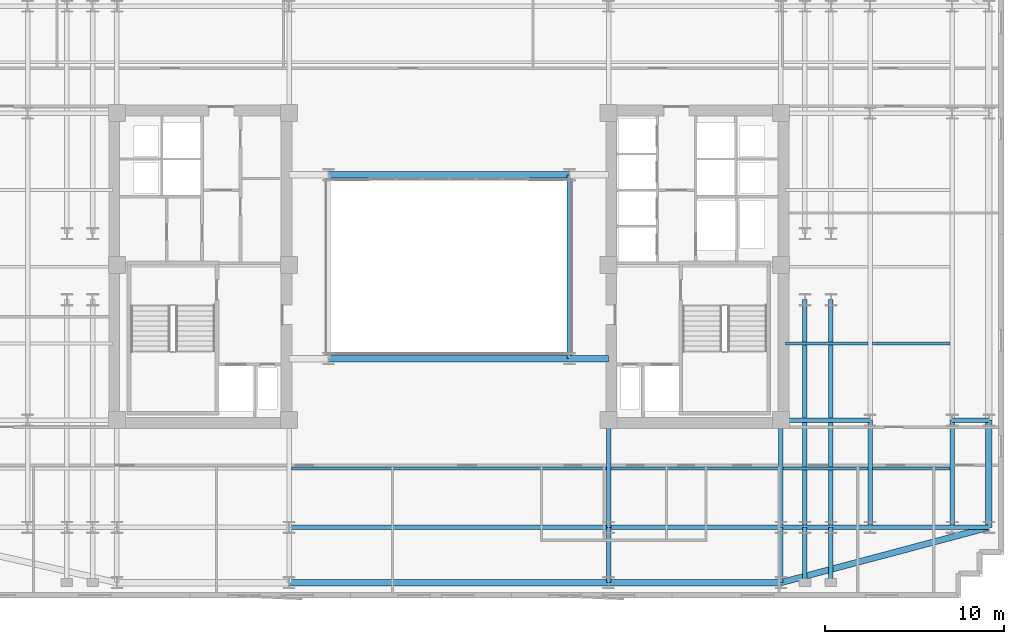
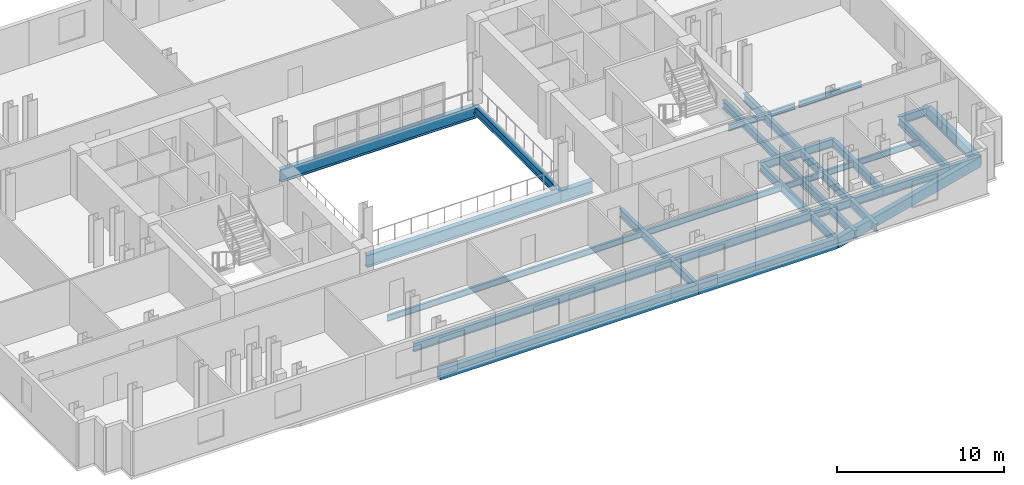
# One storey, part 3 of 12: 31 beams.
"""IFC4 building model written with IfcOpenShell, lengths in metres."""

from ifc_helpers import new_model, si_unit, direction, frame, origin, origin_2d, place, context, subcontext, project, spatial, rectangle, i_section, extrude, material, material_profile, profile_set, type_object, element, save


model = new_model("IFC4")

# Units and contexts
model_context = context("Model", 3, precision=1e-05, world=origin(), true_north=direction((0.0, 1.0)))
body_context = subcontext(model_context, "Body", "Model", "MODEL_VIEW")
ifc_project = project(units=[si_unit("LENGTHUNIT", "METRE"), si_unit("AREAUNIT", "SQUARE_METRE"), si_unit("VOLUMEUNIT", "CUBIC_METRE"), si_unit("PLANEANGLEUNIT", "RADIAN"), si_unit("MASSUNIT", "GRAM", prefix="KILO")], contexts=[model_context])

# Site, building, storey
site_placement = place(None, origin())
site = spatial("IfcSite", under=ifc_project, at=site_placement, CompositionType="ELEMENT")
building_placement = place(site_placement, origin())
building = spatial("IfcBuilding", under=site, at=building_placement, Name="Velakula Bourse", CompositionType="ELEMENT")
storey_placement = place(building_placement, frame((0.0, 0.0, 134.64990234375)))
storey = spatial("IfcBuildingStorey", under=building, at=storey_placement, Name="L36", CompositionType="ELEMENT", Elevation=134.64990234375)

# Beams
ifc_material_1 = material(Name="Steel IS 2062 Grade 350 (E350)", Category="steel")
ifc_material_profile_1 = material_profile(ifc_material_1, i_section(OverallWidth=0.25, OverallDepth=0.60009765625, WebThickness=0.01123046875, FlangeThickness=0.021240234375, at=origin_2d()), Name="Steel IS 2062 Grade 350 (E350)")
ifc_profile_set_1 = profile_set([ifc_material_profile_1], Name="Steel IS 2062 Grade 350 (E350)")
beam_type_1 = type_object("IfcBeamType", Name="BM-GRD-600M", PredefinedType="BEAM", material=ifc_profile_set_1)
beam_1_placement = place(storey_placement, frame((6.75, -5.14990234375, -0.47998046875), z_axis=(0.0, 1.0, 0.0), x_axis=(-1.0, 0.0, 0.0)))
element("IfcBeam", 1, at=beam_1_placement, inside=storey, type_object=beam_type_1, Name="L36 Primary Backbone Girder SPN-E", PredefinedType="BEAM", context=body_context, shape_type="SweptSolid", body=[
    extrude(i_section(OverallWidth=0.25, OverallDepth=0.60009765625, WebThickness=0.01123046875, FlangeThickness=0.021240234375, at=origin_2d()), origin(), (0.0, 0.0, 1.0), 10.2998046875),
])
for number, where, z_axis, x_axis, name in (
    (2, (8.949951171875, -14.60009765625, -0.47998046875), (0.0, 1.0, 0.0), (-1.0, 0.0, 0.0), "L36 Fulcrum Grid Girder FLC-ECS"),
    (3, (18.60009765625, -14.60009765625, -0.47998046875), (0.0, 1.0, 0.0), (-1.0, 0.0, 0.0), "L36 Fulcrum Grid Girder FLC-ES"),
):
    element("IfcBeam", number, at=place(storey_placement, frame(where, z_axis=z_axis, x_axis=x_axis)), inside=storey, type_object=beam_type_1, Name=name, PredefinedType="BEAM", context=body_context, shape_type="SweptSolid", body=[
        extrude(i_section(OverallWidth=0.25, OverallDepth=0.60009765625, WebThickness=0.01123046875, FlangeThickness=0.021240234375, at=origin_2d()), origin(), (0.0, 0.0, 1.0), 6.0),
    ])
beam_2_placement = place(storey_placement, frame((-8.949951171875, -14.60009765625, -0.47998046875), z_axis=(1.0, 0.0, 0.0), x_axis=(0.0, 1.0, 0.0)))
element("IfcBeam", 4, at=beam_2_placement, inside=storey, type_object=beam_type_1, Name="L36 Fulcrum Grid Girder FLC-S2", PredefinedType="BEAM", context=body_context, shape_type="SweptSolid", body=[
    extrude(i_section(OverallWidth=0.25, OverallDepth=0.60009765625, WebThickness=0.01123046875, FlangeThickness=0.021240234375, at=origin_2d()), origin(), (0.0, 0.0, 1.0), 17.89990234375),
])
beam_3_placement = place(storey_placement, frame((8.949951171875, -14.60009765625, -0.47998046875), z_axis=(1.0, 0.0, 0.0), x_axis=(0.0, 1.0, 0.0)))
element("IfcBeam", 5, at=beam_3_placement, inside=storey, type_object=beam_type_1, Name="L36 Fulcrum Grid Girder FLC-S3", PredefinedType="BEAM", context=body_context, shape_type="SweptSolid", body=[
    extrude(i_section(OverallWidth=0.25, OverallDepth=0.60009765625, WebThickness=0.01123046875, FlangeThickness=0.021240234375, at=origin_2d()), origin(), (0.0, 0.0, 1.0), 9.650146484375),
])
for number, where, z_axis, x_axis, name in (
    (6, (19.949951171875, -14.60009765625, -0.47998046875), (0.0, 1.0, 0.0), (-1.0, 0.0, 0.0), "L36 Fulcrum Grid Girder FLC-PSE1"),
    (7, (21.39990234375, -14.60009765625, -0.47998046875), (0.0, 1.0, 0.0), (-1.0, 0.0, 0.0), "L36 Fulcrum Grid Girder FLC-PSE2"),
):
    element("IfcBeam", number, at=place(storey_placement, frame(where, z_axis=z_axis, x_axis=x_axis)), inside=storey, type_object=beam_type_1, Name=name, PredefinedType="BEAM", context=body_context, shape_type="SweptSolid", body=[
        extrude(i_section(OverallWidth=0.25, OverallDepth=0.60009765625, WebThickness=0.01123046875, FlangeThickness=0.021240234375, at=origin_2d()), origin(), (0.0, 0.0, 1.0), 12.75),
    ])
for number, where, z_axis, x_axis, name in (
    (8, (18.60009765625, -14.60009765625, -0.47998046875), (1.0, 0.0, 0.0), (0.0, 1.0, 0.0), "L36 Fulcrum Grid Girder MWG-ES1"),
    (9, (18.60009765625, -8.60009765625, -0.47998046875), (1.0, 0.0, 0.0), (0.0, 1.0, 0.0), "L36 Fulcrum Grid Girder MWG-ES2"),
):
    element("IfcBeam", number, at=place(storey_placement, frame(where, z_axis=z_axis, x_axis=x_axis)), inside=storey, type_object=beam_type_1, Name=name, PredefinedType="BEAM", context=body_context, shape_type="SweptSolid", body=[
        extrude(i_section(OverallWidth=0.25, OverallDepth=0.60009765625, WebThickness=0.01123046875, FlangeThickness=0.021240234375, at=origin_2d()), origin(), (0.0, 0.0, 1.0), 5.0),
    ])
beam_4_placement = place(storey_placement, frame((23.60009765625, -14.60009765625, -0.47998046875), z_axis=(0.0, 1.0, 0.0), x_axis=(-1.0, 0.0, 0.0)))
element("IfcBeam", 10, at=beam_4_placement, inside=storey, type_object=beam_type_1, Name="L36 Fulcrum Grid Girder MWG-ENS1", PredefinedType="BEAM", context=body_context, shape_type="SweptSolid", body=[
    extrude(i_section(OverallWidth=0.25, OverallDepth=0.60009765625, WebThickness=0.01123046875, FlangeThickness=0.021240234375, at=origin_2d()), origin(), (0.0, 0.0, 1.0), 6.0),
])
beam_5_placement = place(storey_placement, frame((23.60009765625, -14.60009765625, -0.47998046875), z_axis=(1.0, 0.0, 0.0), x_axis=(0.0, 1.0, 0.0)))
element("IfcBeam", 11, at=beam_5_placement, inside=storey, type_object=beam_type_1, Name="L36 Fulcrum Grid Girder WNG-ES1", PredefinedType="BEAM", context=body_context, shape_type="SweptSolid", body=[
    extrude(i_section(OverallWidth=0.25, OverallDepth=0.60009765625, WebThickness=0.01123046875, FlangeThickness=0.021240234375, at=origin_2d()), origin(), (0.0, 0.0, 1.0), 4.599853515625),
])
beam_6_placement = place(storey_placement, frame((28.199951171875, -14.60009765625, -0.47998046875), z_axis=(0.0, 1.0, 0.0), x_axis=(-1.0, 0.0, 0.0)))
element("IfcBeam", 12, at=beam_6_placement, inside=storey, type_object=beam_type_1, Name="L36 Fulcrum Grid Girder WNG-ENS1", PredefinedType="BEAM", context=body_context, shape_type="SweptSolid", body=[
    extrude(i_section(OverallWidth=0.25, OverallDepth=0.60009765625, WebThickness=0.01123046875, FlangeThickness=0.021240234375, at=origin_2d()), origin(), (0.0, 0.0, 1.0), 6.0),
])
for number, where, z_axis, x_axis, name in (
    (13, (8.949951171875, -14.60009765625, -0.47998046875), (0.0, -1.0, 0.0), (1.0, 0.0, 0.0), "L36 Perimeter Tie Girder S3"),
    (14, (18.60009765625, -14.60009765625, -0.47998046875), (0.0, -1.0, 0.0), (1.0, 0.0, 0.0), "L36 Perimeter Tie Girder S4"),
):
    element("IfcBeam", number, at=place(storey_placement, frame(where, z_axis=z_axis, x_axis=x_axis)), inside=storey, type_object=beam_type_1, Name=name, PredefinedType="BEAM", context=body_context, shape_type="SweptSolid", body=[
        extrude(i_section(OverallWidth=0.25, OverallDepth=0.60009765625, WebThickness=0.01123046875, FlangeThickness=0.021240234375, at=origin_2d()), origin(), (0.0, 0.0, 1.0), 3.099853515625),
    ])
for number, where, z_axis, x_axis, name in (
    (15, (28.199951171875, -14.60009765625, -0.47998046875), (1.0, 0.0, 0.0), (0.0, 1.0, 0.0), "L36 Perimeter Tie Girder E1"),
    (16, (28.199951171875, -8.60009765625, -0.47998046875), (1.0, 0.0, 0.0), (0.0, 1.0, 0.0), "L36 Perimeter Tie Girder E2"),
):
    element("IfcBeam", number, at=place(storey_placement, frame(where, z_axis=z_axis, x_axis=x_axis)), inside=storey, type_object=beam_type_1, Name=name, PredefinedType="BEAM", context=body_context, shape_type="SweptSolid", body=[
        extrude(i_section(OverallWidth=0.25, OverallDepth=0.60009765625, WebThickness=0.01123046875, FlangeThickness=0.021240234375, at=origin_2d()), origin(), (0.0, 0.0, 1.0), 2.050048828125),
    ])
for number, where, z_axis, x_axis, name in (
    (17, (19.949951171875, -14.60009765625, -0.47998046875), (0.0, -1.0, 0.0), (1.0, 0.0, 0.0), "L36 Perimeter Tie Girder P03"),
    (18, (21.39990234375, -14.60009765625, -0.47998046875), (0.0, -1.0, 0.0), (1.0, 0.0, 0.0), "L36 Perimeter Tie Girder P04"),
):
    element("IfcBeam", number, at=place(storey_placement, frame(where, z_axis=z_axis, x_axis=x_axis)), inside=storey, type_object=beam_type_1, Name=name, PredefinedType="BEAM", context=body_context, shape_type="SweptSolid", body=[
        extrude(i_section(OverallWidth=0.25, OverallDepth=0.60009765625, WebThickness=0.01123046875, FlangeThickness=0.021240234375, at=origin_2d()), origin(), (0.0, 0.0, 1.0), 3.099853515625),
    ])
ifc_material_profile_2 = material_profile(ifc_material_1, i_section(OverallWidth=0.35009765625, OverallDepth=0.89990234375, WebThickness=0.02001953125, FlangeThickness=0.031982421875, at=origin_2d()), Name="Steel IS 2062 Grade 350 (E350)")
ifc_profile_set_2 = profile_set([ifc_material_profile_2], Name="Steel IS 2062 Grade 350 (E350)")
beam_type_2 = type_object("IfcBeamType", Name="BM-LNK-900", PredefinedType="BEAM", material=ifc_profile_set_2)
beam_7_placement = place(storey_placement, frame((-6.75, -5.14990234375, -0.6298828125), z_axis=(1.0, 0.0, 0.0), x_axis=(0.0, 1.0, 0.0)))
element("IfcBeam", 19, at=beam_7_placement, inside=storey, type_object=beam_type_2, Name="L36 Primary Backbone Girder LNK-S2", PredefinedType="BEAM", context=body_context, shape_type="SweptSolid", body=[
    extrude(i_section(OverallWidth=0.35009765625, OverallDepth=0.89990234375, WebThickness=0.02001953125, FlangeThickness=0.031982421875, at=origin_2d()), origin(), (0.0, 0.0, 1.0), 13.5),
])
beam_8_placement = place(storey_placement, frame((6.75, -5.14990234375, -0.6298828125), z_axis=(1.0, 0.0, 0.0), x_axis=(0.0, 1.0, 0.0)))
element("IfcBeam", 20, at=beam_8_placement, inside=storey, type_object=beam_type_2, Name="L36 Primary Backbone Girder LNK-S3", PredefinedType="BEAM", context=body_context, shape_type="SweptSolid", body=[
    extrude(i_section(OverallWidth=0.35009765625, OverallDepth=0.89990234375, WebThickness=0.02001953125, FlangeThickness=0.031982421875, at=origin_2d()), origin(), (0.0, 0.0, 1.0), 2.199951171875),
])
beam_9_placement = place(storey_placement, frame((-6.75, 5.14990234375, -0.6298828125), z_axis=(1.0, 0.0, 0.0), x_axis=(0.0, 1.0, 0.0)))
element("IfcBeam", 21, at=beam_9_placement, inside=storey, type_object=beam_type_2, Name="L36 Primary Backbone Girder LNK-N2", PredefinedType="BEAM", context=body_context, shape_type="SweptSolid", body=[
    extrude(i_section(OverallWidth=0.35009765625, OverallDepth=0.89990234375, WebThickness=0.02001953125, FlangeThickness=0.031982421875, at=origin_2d()), origin(), (0.0, 0.0, 1.0), 13.5),
])
ifc_material_profile_3 = material_profile(ifc_material_1, i_section(OverallWidth=0.14990234375, OverallDepth=0.449951171875, WebThickness=0.009521484375, FlangeThickness=0.017333984375, at=origin_2d()), Name="Steel IS 2062 Grade 350 (E350)")
ifc_profile_set_3 = profile_set([ifc_material_profile_3], Name="Steel IS 2062 Grade 350 (E350)")
beam_type_3 = type_object("IfcBeamType", Name="JST-TWR-450", PredefinedType="JOIST", material=ifc_profile_set_3)
beam_10_placement = place(storey_placement, frame((-8.824951171875, -11.300048828125, -0.40478515625), z_axis=(1.0, 0.0, 0.0), x_axis=(0.0, 1.0, 0.0)))
element("IfcBeam", 22, at=beam_10_placement, inside=storey, type_object=beam_type_3, Name="L36 Trading Floor Composite Joist 05", PredefinedType="JOIST", context=body_context, shape_type="SweptSolid", body=[
    extrude(i_section(OverallWidth=0.14990234375, OverallDepth=0.449951171875, WebThickness=0.009521484375, FlangeThickness=0.017333984375, at=origin_2d()), origin(), (0.0, 0.0, 1.0), 17.64990234375),
])
beam_11_placement = place(storey_placement, frame((9.074951171875, -11.300048828125, -0.40478515625), z_axis=(1.0, 0.0, 0.0), x_axis=(0.0, 1.0, 0.0)))
element("IfcBeam", 23, at=beam_11_placement, inside=storey, type_object=beam_type_3, Name="L36 Trading Floor Composite Joist 06", PredefinedType="JOIST", context=body_context, shape_type="SweptSolid", body=[
    extrude(i_section(OverallWidth=0.14990234375, OverallDepth=0.449951171875, WebThickness=0.009521484375, FlangeThickness=0.017333984375, at=origin_2d()), origin(), (0.0, 0.0, 1.0), 9.400146484375),
])
beam_12_placement = place(storey_placement, frame((18.72509765625, -11.300048828125, -0.40478515625), z_axis=(1.0, 0.0, 0.0), x_axis=(0.0, 1.0, 0.0)))
element("IfcBeam", 24, at=beam_12_placement, inside=storey, type_object=beam_type_3, Name="L36 Trading Floor Composite Joist 07", PredefinedType="JOIST", context=body_context, shape_type="SweptSolid", body=[
    extrude(i_section(OverallWidth=0.14990234375, OverallDepth=0.449951171875, WebThickness=0.009521484375, FlangeThickness=0.017333984375, at=origin_2d()), origin(), (0.0, 0.0, 1.0), 4.75),
])
beam_13_placement = place(storey_placement, frame((23.72509765625, -11.300048828125, -0.40478515625), z_axis=(1.0, 0.0, 0.0), x_axis=(0.0, 1.0, 0.0)))
element("IfcBeam", 25, at=beam_13_placement, inside=storey, type_object=beam_type_3, Name="L36 Trading Floor Composite Joist 08", PredefinedType="JOIST", context=body_context, shape_type="SweptSolid", body=[
    extrude(i_section(OverallWidth=0.14990234375, OverallDepth=0.449951171875, WebThickness=0.009521484375, FlangeThickness=0.017333984375, at=origin_2d()), origin(), (0.0, 0.0, 1.0), 4.349853515625),
])
beam_14_placement = place(storey_placement, frame((18.85009765625, -4.300048828125, -0.40478515625), z_axis=(1.0, 0.0, 0.0), x_axis=(0.0, 1.0, 0.0)))
element("IfcBeam", 26, at=beam_14_placement, inside=storey, type_object=beam_type_3, Name="L36 Trading Floor Composite Joist 28", PredefinedType="JOIST", context=body_context, shape_type="SweptSolid", body=[
    extrude(i_section(OverallWidth=0.14990234375, OverallDepth=0.449951171875, WebThickness=0.009521484375, FlangeThickness=0.017333984375, at=origin_2d()), origin(), (0.0, 0.0, 1.0), 4.625),
])
beam_15_placement = place(storey_placement, frame((23.72509765625, -4.300048828125, -0.40478515625), z_axis=(1.0, 0.0, 0.0), x_axis=(0.0, 1.0, 0.0)))
element("IfcBeam", 27, at=beam_15_placement, inside=storey, type_object=beam_type_3, Name="L36 Trading Floor Composite Joist 29", PredefinedType="JOIST", context=body_context, shape_type="SweptSolid", body=[
    extrude(i_section(OverallWidth=0.14990234375, OverallDepth=0.449951171875, WebThickness=0.009521484375, FlangeThickness=0.017333984375, at=origin_2d()), origin(), (0.0, 0.0, 1.0), 4.349853515625),
])
ifc_material_2 = material(Name="Precast concrete M45 (fck 45 MPa)", Category="concrete")
ifc_material_profile_4 = material_profile(ifc_material_2, rectangle(XDim=0.35009765625, YDim=0.75, at=origin_2d()), Name="Precast concrete M45 (fck 45 MPa)")
ifc_profile_set_4 = profile_set([ifc_material_profile_4], Name="Precast concrete M45 (fck 45 MPa)")
beam_type_4 = type_object("IfcBeamType", Name="SPN-BRICK-750", PredefinedType="SPANDREL", material=ifc_profile_set_4)
beam_16_placement = place(storey_placement, frame((-8.949951171875, -17.699951171875, -0.554931640625), z_axis=(1.0, 0.0, 0.0), x_axis=(0.0, 1.0, 0.0)))
element("IfcBeam", 28, at=beam_16_placement, inside=storey, type_object=beam_type_4, Name="L36 Brick-Faced Precast Spandrel S2-S3", PredefinedType="SPANDREL", context=body_context, shape_type="SweptSolid", body=[
    extrude(rectangle(XDim=0.35009765625, YDim=0.75, at=origin_2d()), origin(), (0.0, 0.0, 1.0), 17.89990234375),
])
beam_17_placement = place(storey_placement, frame((8.949951171875, -17.699951171875, -0.554931640625), z_axis=(1.0, 0.0, 0.0), x_axis=(0.0, 1.0, 0.0)))
element("IfcBeam", 29, at=beam_17_placement, inside=storey, type_object=beam_type_4, Name="L36 Brick-Faced Precast Spandrel S3-S4", PredefinedType="SPANDREL", context=body_context, shape_type="SweptSolid", body=[
    extrude(rectangle(XDim=0.35009765625, YDim=0.75, at=origin_2d()), origin(), (0.0, 0.0, 1.0), 9.650146484375),
])
beam_18_placement = place(storey_placement, frame((30.25, -14.60009765625, -0.554931640625), z_axis=(0.0, 1.0, 0.0), x_axis=(-1.0, 0.0, 0.0)))
element("IfcBeam", 30, at=beam_18_placement, inside=storey, type_object=beam_type_4, Name="L36 Brick-Faced Precast Spandrel E1-E2", PredefinedType="SPANDREL", context=body_context, shape_type="SweptSolid", body=[
    extrude(rectangle(XDim=0.35009765625, YDim=0.75, at=origin_2d()), origin(), (0.0, 0.0, 1.0), 6.0),
])
beam_19_placement = place(storey_placement, frame((18.60009765625, -17.699951171875, -0.554931640625), z_axis=(0.966374962557, 0.257136990226, 0.0), x_axis=(-0.257136990226, 0.966374962557, 0.0)))
element("IfcBeam", 31, at=beam_19_placement, inside=storey, type_object=beam_type_4, Name="L36 Brick-Faced Precast Spandrel S4-E1", PredefinedType="SPANDREL", context=body_context, shape_type="SweptSolid", body=[
    extrude(rectangle(XDim=0.35009765625, YDim=0.75, at=origin_2d()), origin(), (0.0, 0.0, 1.0), 12.05517578125),
])

save(model, "model.ifc")
